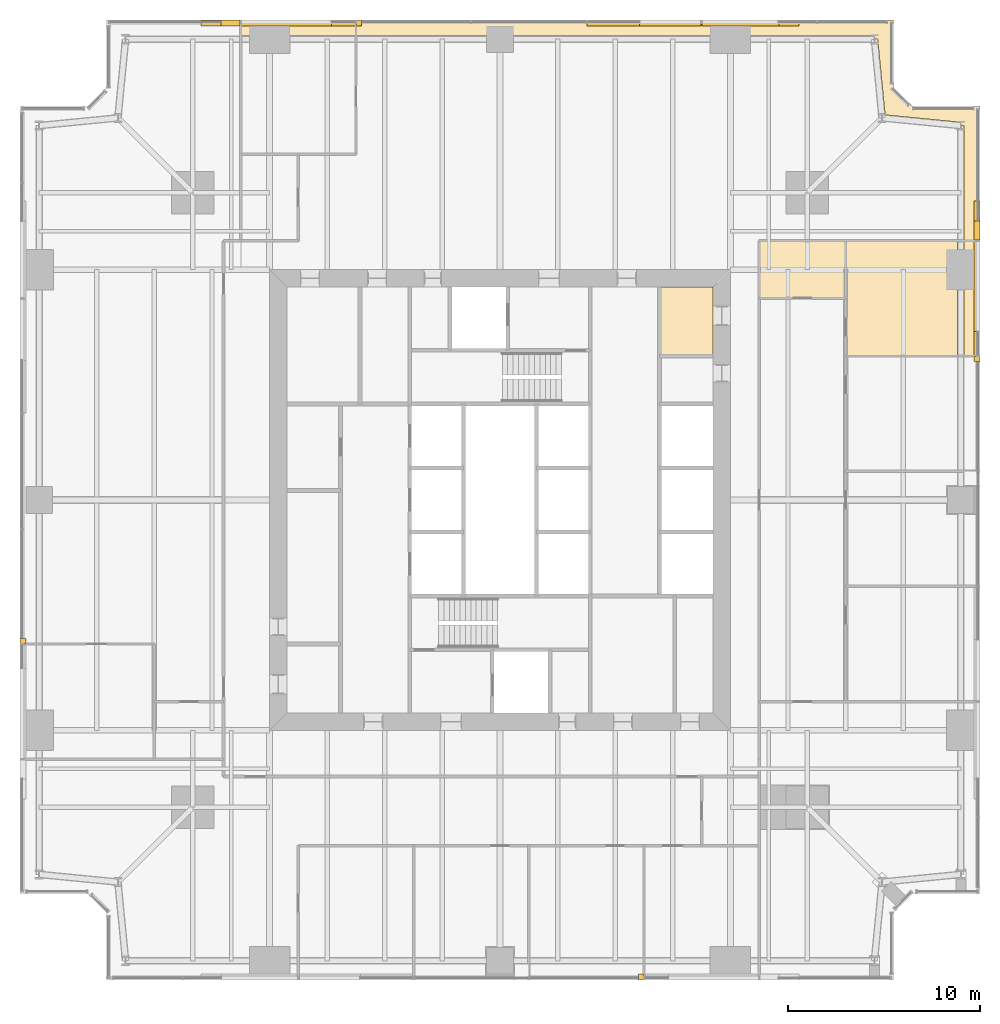
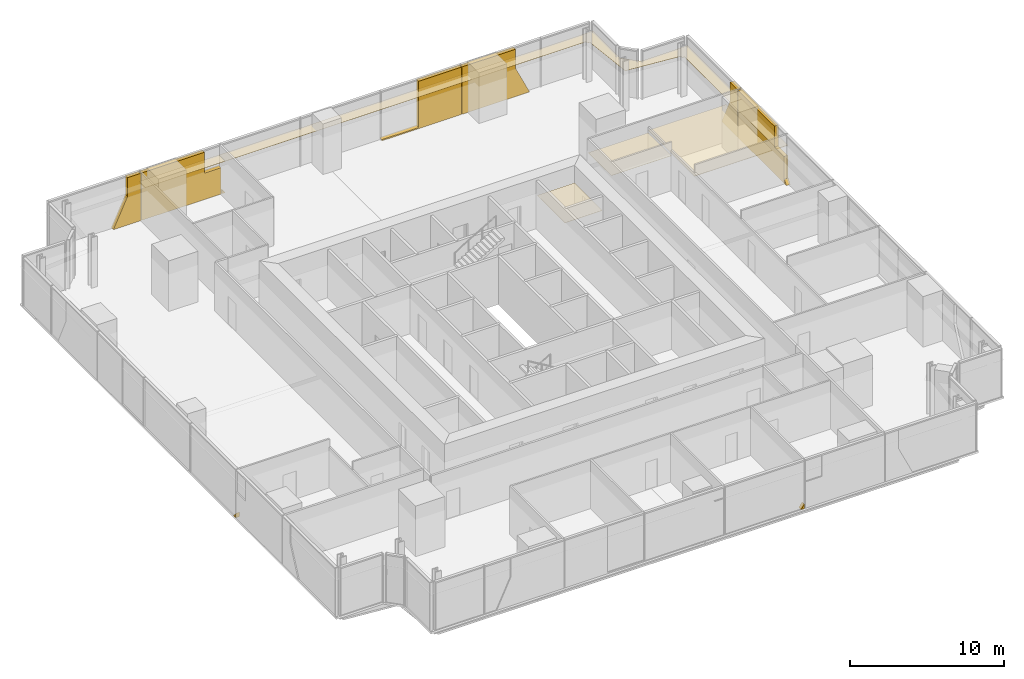
# One storey, part 13 of 13: 16 coverings.
"""IFC4 building model written with IfcOpenShell, lengths in metres."""

from ifc_helpers import new_model, si_unit, direction, frame, origin, place, context, subcontext, project, spatial, polyline, outline, extrude, material, layer, layer_set, type_object, element, save


model = new_model("IFC4")

# Units and contexts
model_context = context("Model", 3, precision=1e-05, world=origin(), true_north=direction((0.0, 1.0)))
body_context = subcontext(model_context, "Body", "Model", "MODEL_VIEW")
ifc_project = project(units=[si_unit("LENGTHUNIT", "METRE"), si_unit("AREAUNIT", "SQUARE_METRE"), si_unit("VOLUMEUNIT", "CUBIC_METRE"), si_unit("PLANEANGLEUNIT", "RADIAN"), si_unit("MASSUNIT", "GRAM", prefix="KILO")], contexts=[model_context])

# Site, building, storey
site_placement = place(None, origin())
site = spatial("IfcSite", under=ifc_project, at=site_placement, CompositionType="ELEMENT")
building_placement = place(site_placement, origin())
building = spatial("IfcBuilding", under=site, at=building_placement, Name="Fenwick Lantern Interchange", CompositionType="ELEMENT")
storey_placement = place(building_placement, frame((0.0, 0.0, 126.39990234375)))
storey = spatial("IfcBuildingStorey", under=building, at=storey_placement, Name="L29", CompositionType="ELEMENT", Elevation=126.39990234375)

# Coverings
ifc_material_1 = material(Name="Mineral fibre acoustic tile on suspended grid")
ifc_layer_1 = layer(ifc_material_1, 0.02001953125)
ifc_layer_set_1 = layer_set([ifc_layer_1], Name="ACOUSTIC TILE CEILING 20")
covering_type_1 = type_object("IfcCoveringType", Name="ACOUSTIC TILE CEILING 20", PredefinedType="CEILING", material=ifc_layer_set_1)
covering_1_placement = place(storey_placement, frame((0.0, 0.0, 2.900146484375)))
element("IfcCovering", 1, at=covering_1_placement, inside=storey, type_object=covering_type_1, Name="Office ceiling", PredefinedType="CEILING", context=body_context, shape_type="SweptSolid", body=[
    extrude(outline(polyline([(43.0, 32.5), (48.82763671875, 32.5), (48.82763671875, 37.0), (48.82763671875, 38.5), (43.0, 38.5), (43.0, 32.5)])), origin(), (0.0, 0.0, 1.0), 0.02001953125),
])
covering_2_placement = place(storey_placement, frame((0.0, 0.0, 2.900146484375)))
element("IfcCovering", 2, at=covering_2_placement, inside=storey, type_object=covering_type_1, Name="Office ceiling", PredefinedType="CEILING", context=body_context, shape_type="SweptSolid", body=[
    extrude(outline(polyline([(50.0, 38.5), (49.17236328125, 38.5), (49.17236328125, 37.0), (49.17236328125, 32.5), (50.0, 32.5), (50.0, 38.5)])), origin(), (0.0, 0.0, 1.0), 0.02001953125),
])
covering_3_placement = place(storey_placement, frame((0.0, 0.0, 2.900146484375)))
element("IfcCovering", 3, at=covering_3_placement, inside=storey, type_object=covering_type_1, Name="Open office ceiling", PredefinedType="CEILING", context=body_context, shape_type="SweptSolid", body=[
    extrude(outline(polyline([(45.5, 46.5), (45.5, 50.0), (17.5, 50.0), (17.5, 49.17236328125), (25.0, 49.17236328125), (37.0, 49.17236328125), (44.5, 49.17236328125), (44.5, 49.0), (44.671630859375, 49.016845703125), (45.057861328125, 45.057861328125), (49.016845703125, 44.671630859375), (49.0, 44.5), (49.17236328125, 44.5), (49.17236328125, 38.5), (50.0, 38.5), (50.0, 45.5), (46.5, 45.5), (45.5, 46.5)])), origin(), (0.0, 0.0, 1.0), 0.02001953125),
])
covering_4_placement = place(storey_placement, frame((0.0, 0.0, 2.900146484375)))
element("IfcCovering", 4, at=covering_4_placement, inside=storey, type_object=covering_type_1, Name="Meeting room ceiling", PredefinedType="CEILING", context=body_context, shape_type="SweptSolid", body=[
    extrude(outline(polyline([(11.5, 50.0), (11.5, 49.17236328125), (13.0, 49.17236328125), (17.5, 49.17236328125), (17.5, 50.0), (11.5, 50.0)])), origin(), (0.0, 0.0, 1.0), 0.02001953125),
])
ifc_material_2 = material(Name="Granite cladding, warm grey flamed finish, on aluminium carrier frame", Category="masonry")
ifc_layer_2 = layer(ifc_material_2, 0.300048828125)
ifc_layer_set_2 = layer_set([ifc_layer_2], Name="BRACE CASING PANEL 300")
covering_type_2 = type_object("IfcCoveringType", Name="BRACE CASING PANEL 300", PredefinedType="CLADDING", material=ifc_layer_set_2)
for number, where, z_axis, x_axis, name in (
    (5, (4.60009765625, 0.10009765625, 0.0), (0.0, 0.0, 1.0), (1.0, 0.0, 0.0), "Brace casing 01 bay 04a"),
    (6, (49.89990234375, 4.60009765625, 0.0), (0.0, 0.0, 1.0), (0.0, 1.0, 0.0), "Brace casing 05 bay 04a"),
):
    element("IfcCovering", number, at=place(storey_placement, frame(where, z_axis=z_axis, x_axis=x_axis)), inside=storey, type_object=covering_type_2, Name=name, PredefinedType="CLADDING", context=body_context, shape_type="SweptSolid", body=[
        extrude(outline(polyline([(27.6044921875, 0.0), (27.867431640625, 0.0), (27.867431640625, 0.350830078125), (27.6044921875, 0.0)])), frame((0.0, 0.2001953125, 0.0), z_axis=(0.0, -1.0, 0.0), x_axis=(1.0, 0.0, 0.0)), (0.0, 0.0, 1.0), 0.300048828125),
    ])
covering_5_placement = place(storey_placement, frame((49.89990234375, 4.60009765625, 0.0), z_axis=(0.0, 0.0, 1.0), x_axis=(0.0, 1.0, 0.0)))
element("IfcCovering", 7, at=covering_5_placement, inside=storey, type_object=covering_type_2, Name="Brace casing 05 bay 05a", PredefinedType="CLADDING", context=body_context, shape_type="SweptSolid", body=[
    extrude(outline(polyline([(27.9326171875, 0.0), (33.867431640625, 0.0), (33.867431640625, 3.75), (29.172607421875, 3.75), (29.172607421875, 2.0908203125), (27.9326171875, 2.0908203125), (27.9326171875, 0.0)])), frame((0.0, 0.2001953125, 0.0), z_axis=(0.0, -1.0, 0.0), x_axis=(1.0, 0.0, 0.0)), (0.0, 0.0, 1.0), 0.300048828125),
])
covering_6_placement = place(storey_placement, frame((49.89990234375, 4.60009765625, 0.0), z_axis=(0.0, 0.0, 1.0), x_axis=(0.0, 1.0, 0.0)))
element("IfcCovering", 8, at=covering_6_placement, inside=storey, type_object=covering_type_2, Name="Brace casing 05 bay 06a", PredefinedType="CLADDING", context=body_context, shape_type="SweptSolid", body=[
    extrude(outline(polyline([(33.9326171875, 0.0), (35.978759765625, 0.0), (34.919921875, 2.259033203125), (34.919921875, 3.75), (33.9326171875, 3.75), (33.9326171875, 0.0)])), frame((0.0, 0.2001953125, 0.0), z_axis=(0.0, -1.0, 0.0), x_axis=(1.0, 0.0, 0.0)), (0.0, 0.0, 1.0), 0.300048828125),
])
covering_7_placement = place(storey_placement, frame((45.39990234375, 49.89990234375, 0.0), z_axis=(0.0, 0.0, 1.0), x_axis=(-1.0, 0.0, 0.0)))
element("IfcCovering", 9, at=covering_7_placement, inside=storey, type_object=covering_type_2, Name="Brace casing 09 bay 01a", PredefinedType="CLADDING", context=body_context, shape_type="SweptSolid", body=[
    extrude(outline(polyline([(4.821044921875, 0.0), (9.867431640625, 0.0), (9.867431640625, 3.75), (5.880126953125, 3.75), (5.880126953125, 2.259033203125), (4.821044921875, 0.0)])), frame((0.0, 0.2001953125, 0.0), z_axis=(0.0, -1.0, 0.0), x_axis=(1.0, 0.0, 0.0)), (0.0, 0.0, 1.0), 0.300048828125),
])
covering_8_placement = place(storey_placement, frame((45.39990234375, 49.89990234375, 0.0), z_axis=(0.0, 0.0, 1.0), x_axis=(-1.0, 0.0, 0.0)))
element("IfcCovering", 10, at=covering_8_placement, inside=storey, type_object=covering_type_2, Name="Brace casing 09 bay 02a", PredefinedType="CLADDING", context=body_context, shape_type="SweptSolid", body=[
    extrude(outline(polyline([(9.9326171875, 0.0), (15.867431640625, 0.0), (15.867431640625, 0.093994140625), (13.125, 0.093994140625), (13.125, 3.75), (9.9326171875, 3.75), (9.9326171875, 0.0)])), frame((0.0, 0.2001953125, 0.0), z_axis=(0.0, -1.0, 0.0), x_axis=(1.0, 0.0, 0.0)), (0.0, 0.0, 1.0), 0.300048828125),
])
covering_9_placement = place(storey_placement, frame((45.39990234375, 49.89990234375, 0.0), z_axis=(0.0, 0.0, 1.0), x_axis=(-1.0, 0.0, 0.0)))
element("IfcCovering", 11, at=covering_9_placement, inside=storey, type_object=covering_type_2, Name="Brace casing 09 bay 04a", PredefinedType="CLADDING", context=body_context, shape_type="SweptSolid", body=[
    extrude(outline(polyline([(27.6044921875, 0.0), (27.867431640625, 0.0), (27.867431640625, 0.350830078125), (27.6044921875, 0.0)])), frame((0.0, 0.2001953125, 0.0), z_axis=(0.0, -1.0, 0.0), x_axis=(1.0, 0.0, 0.0)), (0.0, 0.0, 1.0), 0.300048828125),
])
covering_10_placement = place(storey_placement, frame((45.39990234375, 49.89990234375, 0.0), z_axis=(0.0, 0.0, 1.0), x_axis=(-1.0, 0.0, 0.0)))
element("IfcCovering", 12, at=covering_10_placement, inside=storey, type_object=covering_type_2, Name="Brace casing 09 bay 05a", PredefinedType="CLADDING", context=body_context, shape_type="SweptSolid", body=[
    extrude(outline(polyline([(27.9326171875, 0.0), (33.867431640625, 0.0), (33.867431640625, 3.75), (29.172607421875, 3.75), (29.172607421875, 2.0908203125), (27.9326171875, 2.0908203125), (27.9326171875, 0.0)])), frame((0.0, 0.2001953125, 0.0), z_axis=(0.0, -1.0, 0.0), x_axis=(1.0, 0.0, 0.0)), (0.0, 0.0, 1.0), 0.300048828125),
])
covering_11_placement = place(storey_placement, frame((45.39990234375, 49.89990234375, 0.0), z_axis=(0.0, 0.0, 1.0), x_axis=(-1.0, 0.0, 0.0)))
element("IfcCovering", 13, at=covering_11_placement, inside=storey, type_object=covering_type_2, Name="Brace casing 09 bay 06a", PredefinedType="CLADDING", context=body_context, shape_type="SweptSolid", body=[
    extrude(outline(polyline([(33.9326171875, 0.0), (35.978759765625, 0.0), (34.919921875, 2.259033203125), (34.919921875, 3.75), (33.9326171875, 3.75), (33.9326171875, 0.0)])), frame((0.0, 0.2001953125, 0.0), z_axis=(0.0, -1.0, 0.0), x_axis=(1.0, 0.0, 0.0)), (0.0, 0.0, 1.0), 0.300048828125),
])
covering_12_placement = place(storey_placement, frame((0.10009765625, 45.39990234375, 0.0), z_axis=(0.0, 0.0, 1.0), x_axis=(0.0, -1.0, 0.0)))
element("IfcCovering", 14, at=covering_12_placement, inside=storey, type_object=covering_type_2, Name="Brace casing 13 bay 04a", PredefinedType="CLADDING", context=body_context, shape_type="SweptSolid", body=[
    extrude(outline(polyline([(27.6044921875, 0.0), (27.867431640625, 0.0), (27.867431640625, 0.350830078125), (27.6044921875, 0.0)])), frame((0.0, 0.2001953125, 0.0), z_axis=(0.0, -1.0, 0.0), x_axis=(1.0, 0.0, 0.0)), (0.0, 0.0, 1.0), 0.300048828125),
])
ifc_material_3 = material(Name="Moisture resistant gypsum board on suspended frame, painted")
ifc_layer_3 = layer(ifc_material_3, 0.014892578125)
ifc_layer_set_3 = layer_set([ifc_layer_3], Name="MOISTURE RESISTANT CEILING 15")
covering_type_3 = type_object("IfcCoveringType", Name="MOISTURE RESISTANT CEILING 15", PredefinedType="CEILING", material=ifc_layer_set_3)
covering_13_placement = place(storey_placement, frame((0.0, 0.0, 2.60009765625)))
element("IfcCovering", 15, at=covering_13_placement, inside=storey, type_object=covering_type_3, Name="Accessible WC and shower ceiling", PredefinedType="CEILING", context=body_context, shape_type="SweptSolid", body=[
    extrude(outline(polyline([(36.10009765625, 36.10009765625), (33.300048828125, 36.10009765625), (33.300048828125, 32.5), (36.10009765625, 32.5), (36.10009765625, 36.10009765625)])), origin(), (0.0, 0.0, 1.0), 0.014892578125),
])
covering_14_placement = place(storey_placement, frame((0.0, 0.0, 2.7001953125)))
element("IfcCovering", 16, at=covering_14_placement, inside=storey, type_object=covering_type_3, Name="Pantry ceiling", PredefinedType="CEILING", context=body_context, shape_type="SweptSolid", body=[
    extrude(outline(polyline([(43.0, 35.5), (43.0, 38.5), (38.5, 38.5), (38.5, 35.5), (43.0, 35.5)])), origin(), (0.0, 0.0, 1.0), 0.014892578125),
])

save(model, "model.ifc")
